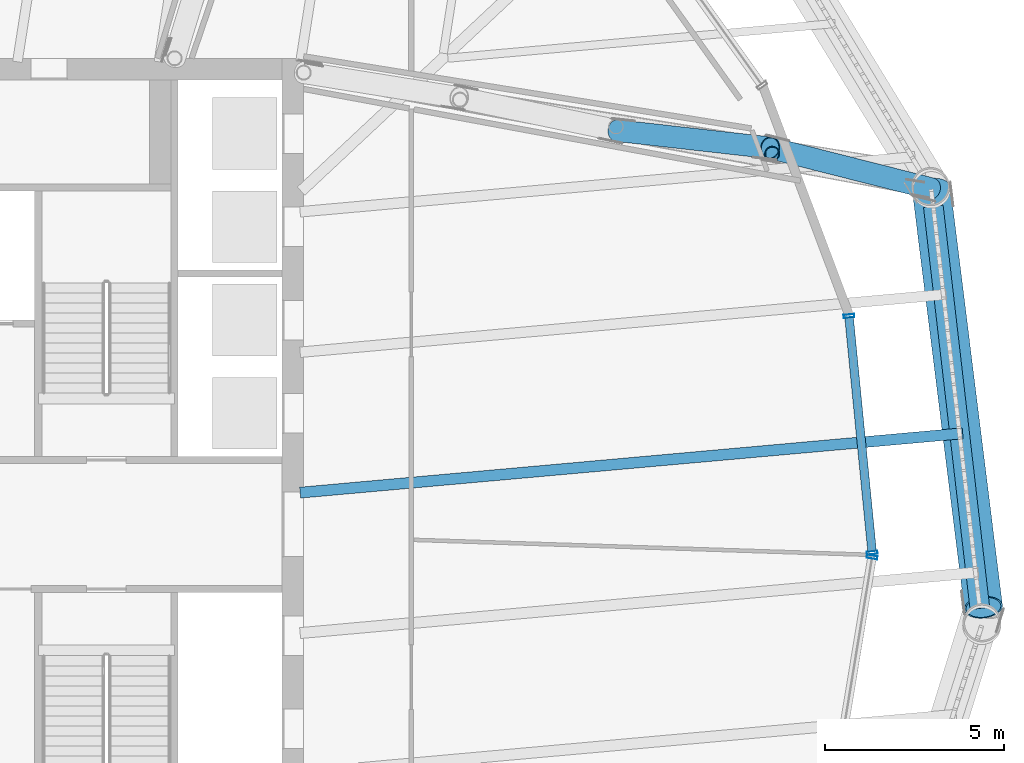
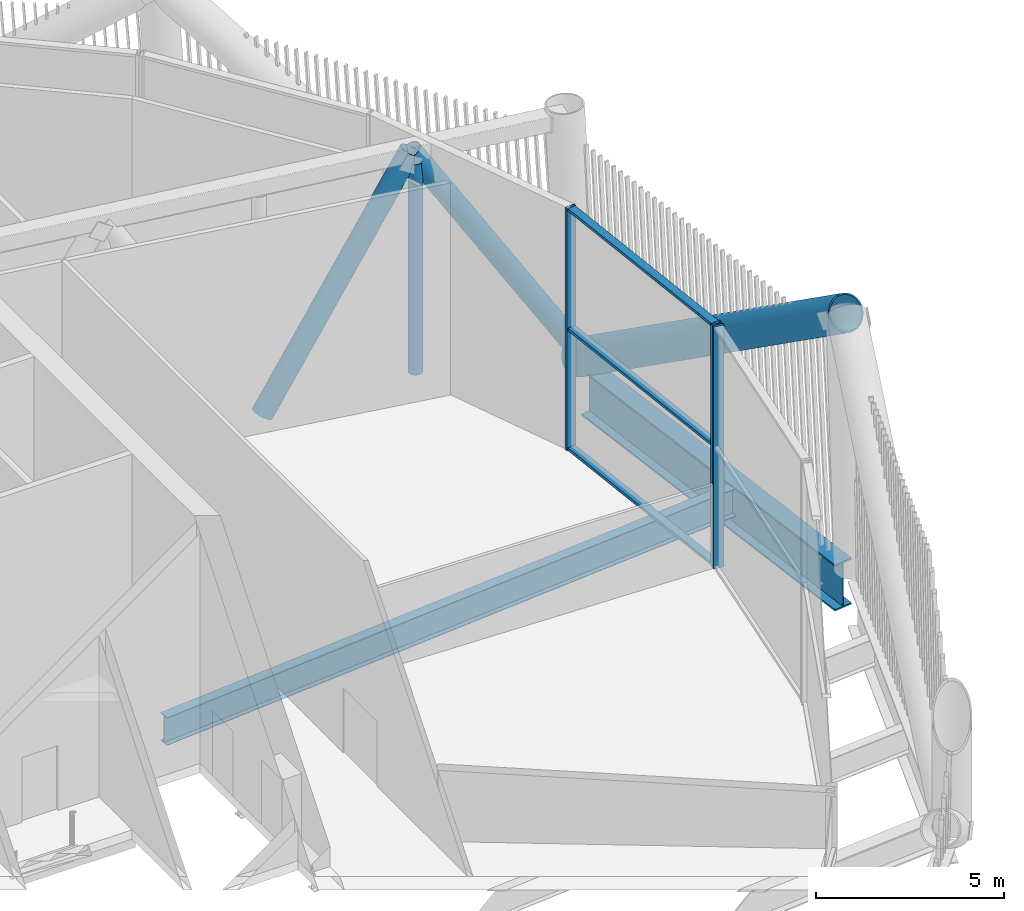
# One storey, part 20 of 55: 10 members, 2 beams, 2 elements without a shape of their own.
"""IFC4 building model written with IfcOpenShell, lengths in metres."""

from ifc_helpers import new_model, si_unit, direction, frame, origin, origin_2d, place, context, subcontext, project, spatial, hollow_rectangle, hollow_circle, i_section, extrude, material, layer, layer_set, material_profile, profile_set, type_object, element, aggregate, save


model = new_model("IFC4")

# Units and contexts
model_context = context("Model", 3, precision=1e-05, world=origin(), true_north=direction((0.0, 1.0)))
body_context = subcontext(model_context, "Body", "Model", "MODEL_VIEW")
ifc_project = project(units=[si_unit("LENGTHUNIT", "METRE"), si_unit("AREAUNIT", "SQUARE_METRE"), si_unit("VOLUMEUNIT", "CUBIC_METRE"), si_unit("PLANEANGLEUNIT", "RADIAN"), si_unit("MASSUNIT", "GRAM", prefix="KILO")], contexts=[model_context])

# Site, building, storey
site_placement = place(None, origin())
site = spatial("IfcSite", under=ifc_project, at=site_placement, CompositionType="ELEMENT")
building_placement = place(site_placement, origin())
building = spatial("IfcBuilding", under=site, at=building_placement, Name="Tarsis Ring Headquarters", CompositionType="ELEMENT")
storey_placement = place(building_placement, frame((0.0, 0.0, 247.199951171875)))
storey = spatial("IfcBuildingStorey", under=building, at=storey_placement, Name="L58", CompositionType="ELEMENT", Elevation=247.199951171875)

# Curtain wall, member
ifc_material_1 = material(Name="Aluminium curtain wall", Category="aluminium")
ifc_layer = layer(ifc_material_1, 0.300048828125)
ifc_layer_set = layer_set([ifc_layer], Name="Curtain wall upper sky lobby")
curtain_wall_type = type_object("IfcCurtainWallType", Name="Curtain wall upper sky lobby", PredefinedType="NOTDEFINED", material=ifc_layer_set)
curtain_wall_1_placement = place(storey_placement, origin())
curtain_wall_1 = element("IfcCurtainWall", 1, at=curtain_wall_1_placement, inside=storey, type_object=curtain_wall_type, Name="Curtain wall L58-20", PredefinedType="NOTDEFINED")
ifc_material_2 = material(Name="Aluminium mullion", Category="aluminium")
ifc_material_profile_1 = material_profile(ifc_material_2, hollow_rectangle(XDim=0.300048828125, YDim=0.090087890625, WallThickness=0.0048828125, at=origin_2d()), Name="RHS 300x90x5")
ifc_profile_set_1 = profile_set([ifc_material_profile_1], Name="Aluminium mullion")
member_type_1 = type_object("IfcMemberType", Name="Curtain wall mullion upper sky lobby RHS 300x90x5", PredefinedType="MULLION", material=ifc_profile_set_1)
member_1_placement = place(storey_placement, frame((25.85009765625, -0.909423828125, 0.0), z_axis=(0.0, 0.0, 1.0), x_axis=(-0.986629144898, 0.162981380647, 0.0)))
member_1 = element("IfcMember", 2, at=member_1_placement, type_object=member_type_1, Name="CW-U mullion 2", PredefinedType="MULLION", context=body_context, shape_type="SweptSolid", body=[
    extrude(hollow_rectangle(XDim=0.300048828125, YDim=0.090087890625, WallThickness=0.0048828125, at=origin_2d()), origin(), (0.0, 0.0, 1.0), 7.840087890625),
])
aggregate(curtain_wall_1, [member_1])

# Curtain wall, members
curtain_wall_2_placement = place(storey_placement, origin())
curtain_wall_2 = element("IfcCurtainWall", 3, at=curtain_wall_2_placement, inside=storey, type_object=curtain_wall_type, Name="Curtain wall L58-21", PredefinedType="NOTDEFINED")
member_2_placement = place(storey_placement, frame((25.85400390625, -0.78759765625, 0.0), z_axis=(0.0, 0.0, 1.0), x_axis=(-0.995193275793, -0.09793030081, 0.0)))
member_2 = element("IfcMember", 4, at=member_2_placement, type_object=member_type_1, Name="CW-U mullion 1", PredefinedType="MULLION", context=body_context, shape_type="SweptSolid", body=[
    extrude(hollow_rectangle(XDim=0.300048828125, YDim=0.090087890625, WallThickness=0.0048828125, at=origin_2d()), origin(), (0.0, 0.0, 1.0), 7.840087890625),
])
member_3_placement = place(storey_placement, frame((25.20458984375, 5.81201171875, 0.0), z_axis=(0.0, 0.0, 1.0), x_axis=(-0.995193275793, -0.09793030081, 0.0)))
member_3 = element("IfcMember", 5, at=member_3_placement, type_object=member_type_1, Name="CW-U mullion 2", PredefinedType="MULLION", context=body_context, shape_type="SweptSolid", body=[
    extrude(hollow_rectangle(XDim=0.300048828125, YDim=0.090087890625, WallThickness=0.0048828125, at=origin_2d()), origin(), (0.0, 0.0, 1.0), 7.840087890625),
])
ifc_material_3 = material(Name="Aluminium transom", Category="aluminium")
ifc_material_profile_2 = material_profile(ifc_material_3, hollow_rectangle(XDim=0.239990234375, YDim=0.090087890625, WallThickness=0.0048828125, at=origin_2d()), Name="RHS 240x90x5")
ifc_profile_set_2 = profile_set([ifc_material_profile_2], Name="Aluminium transom")
member_type_2 = type_object("IfcMemberType", Name="Curtain wall transom upper sky lobby RHS 240x90x5", PredefinedType="USERDEFINED", material=ifc_profile_set_2)
member_4_placement = place(storey_placement, frame((25.849609375, -0.742919921875, 0.045166015625), z_axis=(-0.097933111937, 0.995192999165, 0.0), x_axis=(-0.995192999165, -0.097933111937, 0.0)))
member_4 = element("IfcMember", 6, at=member_4_placement, type_object=member_type_2, Name="CW-U transom 1.1", ObjectType="TRANSOM", PredefinedType="USERDEFINED", context=body_context, shape_type="SweptSolid", body=[
    extrude(hollow_rectangle(XDim=0.239990234375, YDim=0.090087890625, WallThickness=0.0048828125, at=origin_2d()), origin(), (0.0, 0.0, 1.0), 6.54150390625),
])
member_5_placement = place(storey_placement, frame((25.849609375, -0.742919921875, 3.920166015625), z_axis=(-0.097933111937, 0.995192999165, 0.0), x_axis=(-0.995192999165, -0.097933111937, 0.0)))
member_5 = element("IfcMember", 7, at=member_5_placement, type_object=member_type_2, Name="CW-U transom 1.2", ObjectType="TRANSOM", PredefinedType="USERDEFINED", context=body_context, shape_type="SweptSolid", body=[
    extrude(hollow_rectangle(XDim=0.239990234375, YDim=0.090087890625, WallThickness=0.0048828125, at=origin_2d()), origin(), (0.0, 0.0, 1.0), 6.54150390625),
])
member_6_placement = place(storey_placement, frame((25.849609375, -0.742919921875, 7.795166015625), z_axis=(-0.097933111937, 0.995192999165, 0.0), x_axis=(-0.995192999165, -0.097933111937, 0.0)))
member_6 = element("IfcMember", 8, at=member_6_placement, type_object=member_type_2, Name="CW-U transom 1.3", ObjectType="TRANSOM", PredefinedType="USERDEFINED", context=body_context, shape_type="SweptSolid", body=[
    extrude(hollow_rectangle(XDim=0.239990234375, YDim=0.090087890625, WallThickness=0.0048828125, at=origin_2d()), origin(), (0.0, 0.0, 1.0), 6.54150390625),
])
aggregate(curtain_wall_2, [member_2, member_3, member_4, member_5, member_6])

# Beam
ifc_material_4 = material(Name="Structural steel S355", Category="steel")
ifc_material_profile_3 = material_profile(ifc_material_4, i_section(OverallWidth=0.3046875, OverallDepth=0.904296875, WebThickness=0.01513671875, FlangeThickness=0.02001953125, at=origin_2d()), Name="W36x135")
ifc_profile_set_3 = profile_set([ifc_material_profile_3], Name="Structural steel S355")
beam_type_1 = type_object("IfcBeamType", Name="FB Floor beam W36x135", PredefinedType="JOIST", material=ifc_profile_set_3)
beam_1_placement = place(storey_placement, frame((9.900390625, 0.886962890625, -0.751953125), z_axis=(0.996009634818, 0.089245769361, 0.0), x_axis=(-0.089245769361, 0.996009634818, 0.0)))
element("IfcBeam", 9, at=beam_1_placement, inside=storey, type_object=beam_type_1, Name="Floor beam FB8", PredefinedType="JOIST", context=body_context, shape_type="SweptSolid", body=[
    extrude(i_section(OverallWidth=0.3046875, OverallDepth=0.904296875, WebThickness=0.01513671875, FlangeThickness=0.02001953125, at=origin_2d()), origin(), (0.0, 0.0, 1.0), 18.550048828125),
])

# Members
ifc_material_profile_4 = material_profile(ifc_material_4, hollow_circle(Radius=0.3046875, WallThickness=0.02490234375, at=origin_2d()), Name="CHS 610x25")
ifc_profile_set_4 = profile_set([ifc_material_profile_4], Name="Structural steel S355")
member_type_3 = type_object("IfcMemberType", Name="OD Outrigger diagonal CHS 610x25", PredefinedType="BRACE", material=ifc_profile_set_4)
member_7_placement = place(storey_placement, frame((18.74853515625, 10.98291015625, 0.254150390625), z_axis=(0.501519600716, -0.056487791781, 0.863300190824), x_axis=(0.11192554796, 0.993716595269, 0.0)))
element("IfcMember", 10, at=member_7_placement, inside=storey, type_object=member_type_3, Name="Outrigger diagonal OD1", PredefinedType="BRACE", context=body_context, shape_type="SweptSolid", body=[
    extrude(hollow_circle(Radius=0.3046875, WallThickness=0.02490234375, at=origin_2d()), origin(), (0.0, 0.0, 1.0), 8.49267578125),
])
member_8_placement = place(storey_placement, frame((23.0078125, 10.503173828125, 7.5859375), z_axis=(0.517677023669, -0.13116474077, -0.845462187176), x_axis=(0.245610624307, 0.96936856831, 0.0)))
element("IfcMember", 11, at=member_8_placement, inside=storey, type_object=member_type_3, Name="Outrigger diagonal OD1", PredefinedType="BRACE", context=body_context, shape_type="SweptSolid", body=[
    extrude(hollow_circle(Radius=0.3046875, WallThickness=0.02490234375, at=origin_2d()), origin(), (0.0, 0.0, 1.0), 8.671875),
])
ifc_material_profile_5 = material_profile(ifc_material_4, hollow_circle(Radius=0.203125, WallThickness=0.01611328125, at=origin_2d()), Name="CHS 406x16")
ifc_profile_set_5 = profile_set([ifc_material_profile_5], Name="Structural steel S355")
member_type_4 = type_object("IfcMemberType", Name="OV Outrigger post CHS 406x16", PredefinedType="STRUT", material=ifc_profile_set_5)
member_9_placement = place(storey_placement, frame((23.0654296875, 10.3388671875, 0.508056640625), z_axis=(0.0, 0.0, 1.0), x_axis=(1.0, 0.0, 0.0)))
element("IfcMember", 12, at=member_9_placement, inside=storey, type_object=member_type_4, Name="Outrigger post OV1", PredefinedType="STRUT", context=body_context, shape_type="SweptSolid", body=[
    extrude(hollow_circle(Radius=0.203125, WallThickness=0.01611328125, at=origin_2d()), origin(), (0.0, 0.0, 1.0), 6.823974609375),
])
ifc_material_profile_6 = material_profile(ifc_material_4, hollow_circle(Radius=0.533447265625, WallThickness=0.044921875, at=origin_2d()), Name="CHS 1067x45")
ifc_profile_set_6 = profile_set([ifc_material_profile_6], Name="Structural steel S355")
member_type_5 = type_object("IfcMemberType", Name="TD Belt truss diagonal CHS 1067x45", PredefinedType="BRACE", material=ifc_profile_set_6)
member_10_placement = place(storey_placement, frame((27.50244140625, 9.3505859375, 0.0), z_axis=(0.102260180005, -0.820313820125, 0.562697158423), x_axis=(0.992319366764, 0.123702361923, 0.0)))
element("IfcMember", 13, at=member_10_placement, inside=storey, type_object=member_type_5, Name="Belt truss diagonal TD5", PredefinedType="BRACE", context=body_context, shape_type="SweptSolid", body=[
    extrude(hollow_circle(Radius=0.533447265625, WallThickness=0.044921875, at=origin_2d()), origin(), (0.0, 0.0, 1.0), 14.21728515625),
])

# Beam
ifc_material_profile_7 = material_profile(ifc_material_4, i_section(OverallWidth=0.550048828125, OverallDepth=1.5, WebThickness=0.030029296875, FlangeThickness=0.050048828125, at=origin_2d()), Name="PG 1500x550x30x50")
ifc_profile_set_7 = profile_set([ifc_material_profile_7], Name="Structural steel S355")
beam_type_2 = type_object("IfcBeamType", Name="XG Ring girder PG 1500x550x30x50", PredefinedType="BEAM", material=ifc_profile_set_7)
beam_2_placement = place(storey_placement, frame((28.8564453125, -2.340087890625, -0.75), z_axis=(-0.115054232486, 0.993359211759, 0.0), x_axis=(-0.993359211759, -0.115054232486, 0.0)))
element("IfcBeam", 14, at=beam_2_placement, inside=storey, type_object=beam_type_2, Name="Ring girder XG6", PredefinedType="BEAM", context=body_context, shape_type="SweptSolid", body=[
    extrude(i_section(OverallWidth=0.550048828125, OverallDepth=1.5, WebThickness=0.030029296875, FlangeThickness=0.050048828125, at=origin_2d()), origin(), (0.0, 0.0, 1.0), 11.288818359375),
])

save(model, "model.ifc")
